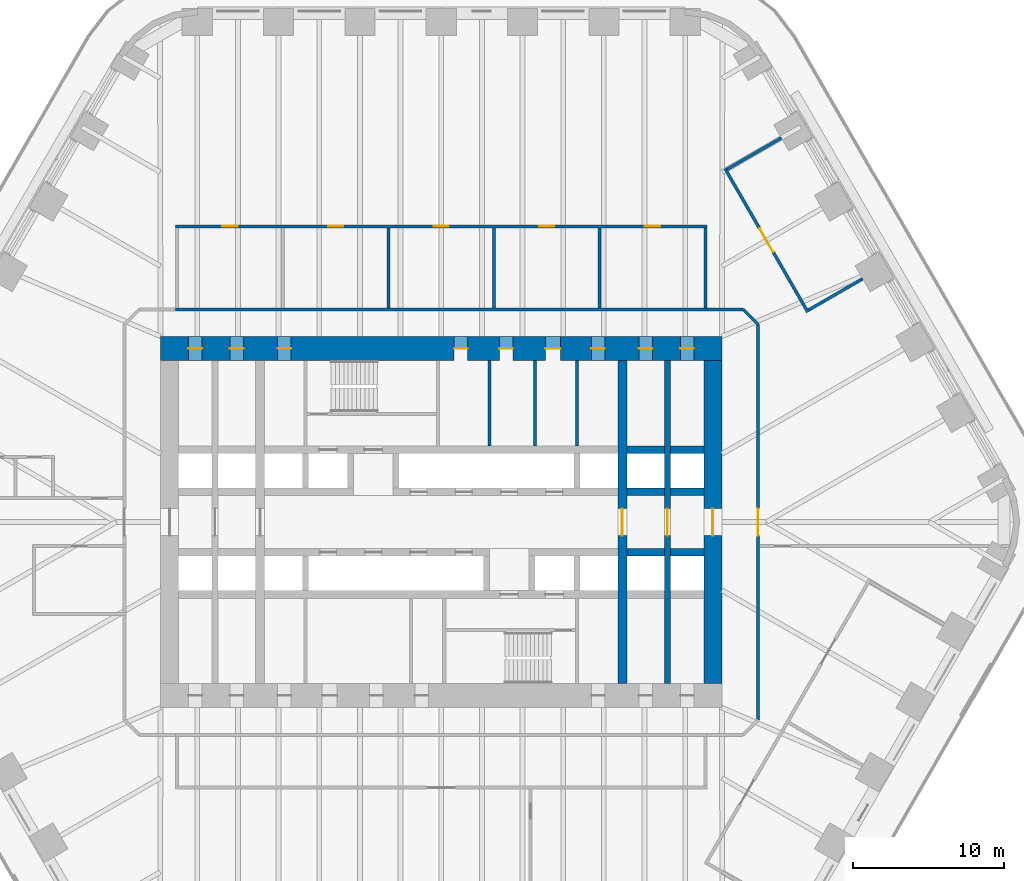
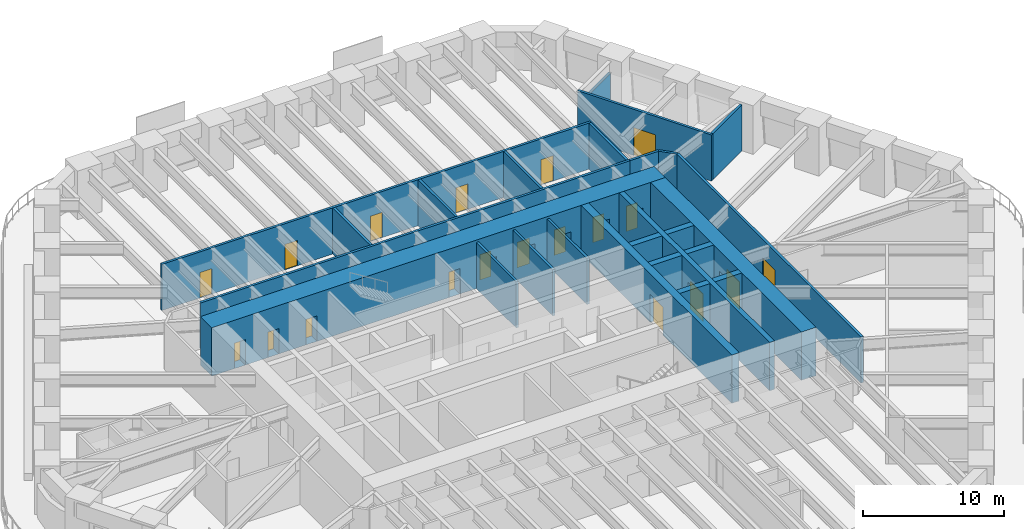
# One storey, part 19 of 23: 25 walls, 19 doors, 19 openings.
"""IFC4 building model written with IfcOpenShell, lengths in metres."""

from ifc_helpers import new_model, si_unit, direction, frame, frame_2d, origin, place, context, subcontext, project, spatial, rectangle, extrude, material, layer, layer_set, type_object, element, fill, save


model = new_model("IFC4")

# Units and contexts
model_context = context("Model", 3, precision=1e-05, world=origin(), true_north=direction((0.0, 1.0)))
body_context = subcontext(model_context, "Body", "Model", "MODEL_VIEW")
ifc_project = project(units=[si_unit("LENGTHUNIT", "METRE"), si_unit("AREAUNIT", "SQUARE_METRE"), si_unit("VOLUMEUNIT", "CUBIC_METRE"), si_unit("PLANEANGLEUNIT", "RADIAN"), si_unit("MASSUNIT", "GRAM", prefix="KILO")], contexts=[model_context])

# Site, building, storey
site_placement = place(None, origin())
site = spatial("IfcSite", under=ifc_project, at=site_placement, CompositionType="ELEMENT")
building_placement = place(site_placement, origin())
building = spatial("IfcBuilding", under=site, at=building_placement, Name="Tarfa Lantern Tower", CompositionType="ELEMENT")
storey_placement = place(building_placement, frame((0.0, 0.0, 52.89990234375)))
storey = spatial("IfcBuildingStorey", under=building, at=storey_placement, Name="L11", CompositionType="ELEMENT", Elevation=52.89990234375)

# Walls
ifc_material_1 = material(Name="Concrete blockwork", Category="masonry")
ifc_layer_1 = layer(ifc_material_1, 0.199951171875)
ifc_layer_set_1 = layer_set([ifc_layer_1], Name="IW1 BLOCKWORK PARTITION 200 EI 120")
wall_type_1 = type_object("IfcWallType", Name="IW1 BLOCKWORK PARTITION 200 EI 120", PredefinedType="PARTITIONING", material=ifc_layer_set_1)
for number, where, z_axis, x_axis, name in (
    (1, (9.0, 5.050048828125, 0.0), (0.0, 0.0, 1.0), (0.0, 1.0, 0.0), "Core partition"),
    (2, (3.199951171875, 5.050048828125, 0.0), (0.0, 0.0, 1.0), (0.0, 1.0, 0.0), "Core partition"),
    (3, (6.199951171875, 5.050048828125, 0.0), (0.0, 0.0, 1.0), (0.0, 1.0, 0.0), "Core partition"),
):
    element("IfcWall", number, at=place(storey_placement, frame(where, z_axis=z_axis, x_axis=x_axis)), inside=storey, type_object=wall_type_1, Name=name, PredefinedType="PARTITIONING", context=body_context, shape_type="SweptSolid", body=[
        extrude(rectangle(XDim=5.64990234375, YDim=0.199951171875, at=frame_2d((2.824951171875, 0.0))), origin(), (0.0, 0.0, 1.0), 4.0),
    ])
ifc_material_2 = material(Name="Gypsum board on steel studs", Category="steel")
ifc_layer_2 = layer(ifc_material_2, 0.2099609375)
ifc_layer_set_2 = layer_set([ifc_layer_2], Name="IW2 ACOUSTIC PARTITION 200")
wall_type_2 = type_object("IfcWallType", Name="IW2 ACOUSTIC PARTITION 200", PredefinedType="PARTITIONING", material=ifc_layer_set_2)
wall_1_placement = place(storey_placement, frame((-17.60009765625, 14.10009765625, 0.0), z_axis=(0.0, 0.0, 1.0), x_axis=(1.0, 0.0, 0.0)))
element("IfcWall", 4, at=wall_1_placement, inside=storey, type_object=wall_type_2, Name="Partition", PredefinedType="PARTITIONING", context=body_context, shape_type="SweptSolid", body=[
    extrude(rectangle(XDim=35.2001953125, YDim=0.199951171875, at=frame_2d((17.60009765625, 0.0))), origin(), (0.0, 0.0, 1.0), 4.0),
])

# Wall, openings, doors
wall_2_placement = place(storey_placement, frame((-17.60009765625, 19.60009765625, 0.0), z_axis=(0.0, 0.0, 1.0), x_axis=(1.0, 0.0, 0.0)))
wall_2 = element("IfcWall", 5, at=wall_2_placement, inside=storey, type_object=wall_type_2, Name="Partition", PredefinedType="PARTITIONING", context=body_context, shape_type="SweptSolid", body=[
    extrude(rectangle(XDim=35.2001953125, YDim=0.199951171875, at=frame_2d((17.60009765625, 0.0))), origin(), (0.0, 0.0, 1.0), 4.0),
])
opening_1_placement = place(wall_2_placement, frame((3.10009765625, 0.0, 0.0)))
opening_1 = element("IfcOpeningElement", 6, at=opening_1_placement, cuts=wall_2, Name="Opening D33", PredefinedType="OPENING", context=body_context, shape_type="SweptSolid", body=[
    extrude(rectangle(XDim=1.0, YDim=2.199951171875, at=frame_2d((0.5, 1.10009765625))), frame((0.0, 0.10986328125, 0.0), z_axis=(0.0, -1.0, 0.0), x_axis=(1.0, 0.0, 0.0)), (0.0, 0.0, 1.0), 0.219970703125),
])
opening_2_placement = place(wall_2_placement, frame((10.10009765625, 0.0, 0.0)))
opening_2 = element("IfcOpeningElement", 7, at=opening_2_placement, cuts=wall_2, Name="Opening D34", PredefinedType="OPENING", context=body_context, shape_type="SweptSolid", body=[
    extrude(rectangle(XDim=1.0, YDim=2.199951171875, at=frame_2d((0.5, 1.10009765625))), frame((0.0, 0.10986328125, 0.0), z_axis=(0.0, -1.0, 0.0), x_axis=(1.0, 0.0, 0.0)), (0.0, 0.0, 1.0), 0.219970703125),
])
opening_3_placement = place(wall_2_placement, frame((17.10009765625, 0.0, 0.0)))
opening_3 = element("IfcOpeningElement", 8, at=opening_3_placement, cuts=wall_2, Name="Opening D35", PredefinedType="OPENING", context=body_context, shape_type="SweptSolid", body=[
    extrude(rectangle(XDim=1.0, YDim=2.199951171875, at=frame_2d((0.5, 1.10009765625))), frame((0.0, 0.10986328125, 0.0), z_axis=(0.0, -1.0, 0.0), x_axis=(1.0, 0.0, 0.0)), (0.0, 0.0, 1.0), 0.219970703125),
])
opening_4_placement = place(wall_2_placement, frame((24.10009765625, 0.0, 0.0)))
opening_4 = element("IfcOpeningElement", 9, at=opening_4_placement, cuts=wall_2, Name="Opening D36", PredefinedType="OPENING", context=body_context, shape_type="SweptSolid", body=[
    extrude(rectangle(XDim=1.0, YDim=2.199951171875, at=frame_2d((0.5, 1.10009765625))), frame((0.0, 0.10986328125, 0.0), z_axis=(0.0, -1.0, 0.0), x_axis=(1.0, 0.0, 0.0)), (0.0, 0.0, 1.0), 0.219970703125),
])
opening_5_placement = place(wall_2_placement, frame((31.10009765625, 0.0, 0.0)))
opening_5 = element("IfcOpeningElement", 10, at=opening_5_placement, cuts=wall_2, Name="Opening D37", PredefinedType="OPENING", context=body_context, shape_type="SweptSolid", body=[
    extrude(rectangle(XDim=1.0, YDim=2.199951171875, at=frame_2d((0.5, 1.10009765625))), frame((0.0, 0.10986328125, 0.0), z_axis=(0.0, -1.0, 0.0), x_axis=(1.0, 0.0, 0.0)), (0.0, 0.0, 1.0), 0.219970703125),
])
ifc_material_3 = material(Name="Timber door", Category="wood")
door_type_1 = type_object("IfcDoorType", Name="DR1 ROOM DOOR 1000x2200", OperationType="SINGLE_SWING_LEFT", PredefinedType="DOOR", material=ifc_material_3)
door_1_placement = place(opening_1_placement, frame((1.0, 0.0, 0.0), z_axis=(0.0, 0.0, 1.0), x_axis=(-1.0, 0.0, 0.0)))
door_1 = element("IfcDoor", 11, at=door_1_placement, inside=storey, type_object=door_type_1, Name="Plan room door", OperationType="SINGLE_SWING_LEFT", OverallHeight=2.199951171875, OverallWidth=1.0, PredefinedType="DOOR", context=body_context, shape_type="SweptSolid", body=[
    extrude(rectangle(XDim=1.0, YDim=2.199951171875, at=frame_2d((0.5, 1.10009765625))), frame((0.0, 0.02490234375, 0.0), z_axis=(0.0, -1.0, 0.0), x_axis=(1.0, 0.0, 0.0)), (0.0, 0.0, 1.0), 0.050048828125),
])
fill(opening_1, door_1)
door_2_placement = place(opening_2_placement, frame((1.0, 0.0, 0.0), z_axis=(0.0, 0.0, 1.0), x_axis=(-1.0, 0.0, 0.0)))
door_2 = element("IfcDoor", 12, at=door_2_placement, inside=storey, type_object=door_type_1, Name="Model room door", OperationType="SINGLE_SWING_LEFT", OverallHeight=2.199951171875, OverallWidth=1.0, PredefinedType="DOOR", context=body_context, shape_type="SweptSolid", body=[
    extrude(rectangle(XDim=1.0, YDim=2.199951171875, at=frame_2d((0.5, 1.10009765625))), frame((0.0, 0.02490234375, 0.0), z_axis=(0.0, -1.0, 0.0), x_axis=(1.0, 0.0, 0.0)), (0.0, 0.0, 1.0), 0.050048828125),
])
fill(opening_2, door_2)
door_3_placement = place(opening_3_placement, frame((1.0, 0.0, 0.0), z_axis=(0.0, 0.0, 1.0), x_axis=(-1.0, 0.0, 0.0)))
door_3 = element("IfcDoor", 13, at=door_3_placement, inside=storey, type_object=door_type_1, Name="Specification room door", OperationType="SINGLE_SWING_LEFT", OverallHeight=2.199951171875, OverallWidth=1.0, PredefinedType="DOOR", context=body_context, shape_type="SweptSolid", body=[
    extrude(rectangle(XDim=1.0, YDim=2.199951171875, at=frame_2d((0.5, 1.10009765625))), frame((0.0, 0.02490234375, 0.0), z_axis=(0.0, -1.0, 0.0), x_axis=(1.0, 0.0, 0.0)), (0.0, 0.0, 1.0), 0.050048828125),
])
fill(opening_3, door_3)
door_4_placement = place(opening_4_placement, frame((1.0, 0.0, 0.0), z_axis=(0.0, 0.0, 1.0), x_axis=(-1.0, 0.0, 0.0)))
door_4 = element("IfcDoor", 14, at=door_4_placement, inside=storey, type_object=door_type_1, Name="Drawing review room door", OperationType="SINGLE_SWING_RIGHT", OverallHeight=2.199951171875, OverallWidth=1.0, PredefinedType="DOOR", context=body_context, shape_type="SweptSolid", body=[
    extrude(rectangle(XDim=1.0, YDim=2.199951171875, at=frame_2d((0.5, 1.10009765625))), frame((0.0, 0.02490234375, 0.0), z_axis=(0.0, -1.0, 0.0), x_axis=(1.0, 0.0, 0.0)), (0.0, 0.0, 1.0), 0.050048828125),
])
fill(opening_4, door_4)
door_5_placement = place(opening_5_placement, frame((1.0, 0.0, 0.0), z_axis=(0.0, 0.0, 1.0), x_axis=(-1.0, 0.0, 0.0)))
door_5 = element("IfcDoor", 15, at=door_5_placement, inside=storey, type_object=door_type_1, Name="Cost planning room door", OperationType="SINGLE_SWING_RIGHT", OverallHeight=2.199951171875, OverallWidth=1.0, PredefinedType="DOOR", context=body_context, shape_type="SweptSolid", body=[
    extrude(rectangle(XDim=1.0, YDim=2.199951171875, at=frame_2d((0.5, 1.10009765625))), frame((0.0, 0.02490234375, 0.0), z_axis=(0.0, -1.0, 0.0), x_axis=(1.0, 0.0, 0.0)), (0.0, 0.0, 1.0), 0.050048828125),
])
fill(opening_5, door_5)

# Walls
for number, where, z_axis, x_axis, name in (
    (16, (-3.5, 14.199951171875, 0.0), (0.0, 0.0, 1.0), (0.0, 1.0, 0.0), "Partition"),
    (17, (3.5, 14.199951171875, 0.0), (0.0, 0.0, 1.0), (0.0, 1.0, 0.0), "Partition"),
    (18, (10.5, 14.199951171875, 0.0), (0.0, 0.0, 1.0), (0.0, 1.0, 0.0), "Partition"),
    (19, (17.5, 14.199951171875, 0.0), (0.0, 0.0, 1.0), (0.0, 1.0, 0.0), "Partition"),
):
    element("IfcWall", number, at=place(storey_placement, frame(where, z_axis=z_axis, x_axis=x_axis)), inside=storey, type_object=wall_type_2, Name=name, PredefinedType="PARTITIONING", context=body_context, shape_type="SweptSolid", body=[
        extrude(rectangle(XDim=5.300048828125, YDim=0.199951171875, at=frame_2d((2.64990234375, 0.0))), origin(), (0.0, 0.0, 1.0), 4.0),
    ])

# Wall, opening, door
wall_3_placement = place(storey_placement, frame((24.298828125, 13.913330078125, 0.0), z_axis=(0.0, 0.0, 1.0), x_axis=(-0.500009305389, 0.866020031249, 0.0)))
wall_3 = element("IfcWall", 20, at=wall_3_placement, inside=storey, type_object=wall_type_2, Name="Partition", PredefinedType="PARTITIONING", context=body_context, shape_type="SweptSolid", body=[
    extrude(rectangle(XDim=10.977294921875, YDim=0.199951171875, at=frame_2d((5.48876953125, 0.0))), origin(), (0.0, 0.0, 1.0), 4.0),
])
opening_6_placement = place(wall_3_placement, frame((4.588623046875, 0.0, 0.0)))
opening_6 = element("IfcOpeningElement", 21, at=opening_6_placement, cuts=wall_3, Name="Opening D29", PredefinedType="OPENING", context=body_context, shape_type="SweptSolid", body=[
    extrude(rectangle(XDim=1.800048828125, YDim=2.39990234375, at=frame_2d((0.89990234375, 1.199951171875))), frame((0.0, 0.10986328125, 0.0), z_axis=(0.0, -1.0, 0.0), x_axis=(1.0, 0.0, 0.0)), (0.0, 0.0, 1.0), 0.219970703125),
])
door_type_2 = type_object("IfcDoorType", Name="DR2 ROOM DOOR 1800x2400", OperationType="DOUBLE_DOOR_SINGLE_SWING", PredefinedType="DOOR", material=ifc_material_3)
door_6_placement = place(opening_6_placement, frame((1.800048828125, 0.0, 0.0), z_axis=(0.0, 0.0, 1.0), x_axis=(-1.0, 0.0, 0.0)))
door_6 = element("IfcDoor", 22, at=door_6_placement, inside=storey, type_object=door_type_2, Name="Review room door", OperationType="DOUBLE_DOOR_SINGLE_SWING", OverallHeight=2.39990234375, OverallWidth=1.800048828125, PredefinedType="DOOR", context=body_context, shape_type="SweptSolid", body=[
    extrude(rectangle(XDim=1.800048828125, YDim=2.39990234375, at=frame_2d((0.89990234375, 1.199951171875))), frame((0.0, 0.02490234375, 0.0), z_axis=(0.0, -1.0, 0.0), x_axis=(1.0, 0.0, 0.0)), (0.0, 0.0, 1.0), 0.050048828125),
])
fill(opening_6, door_6)

# Walls
wall_4_placement = place(storey_placement, frame((24.335205078125, 14.050048828125, 0.0), z_axis=(0.0, 0.0, 1.0), x_axis=(0.86602981871, 0.499992353047, 0.0)))
element("IfcWall", 23, at=wall_4_placement, inside=storey, type_object=wall_type_2, Name="Partition", PredefinedType="PARTITIONING", context=body_context, shape_type="SweptSolid", body=[
    extrude(rectangle(XDim=4.14990234375, YDim=0.199951171875, at=frame_2d((2.074951171875, 0.0))), origin(), (0.0, 0.0, 1.0), 4.0),
])
wall_5_placement = place(storey_placement, frame((18.94677734375, 23.38330078125, 0.0), z_axis=(0.0, 0.0, 1.0), x_axis=(0.86602981871, 0.499992353047, 0.0)))
element("IfcWall", 24, at=wall_5_placement, inside=storey, type_object=wall_type_2, Name="Partition", PredefinedType="PARTITIONING", context=body_context, shape_type="SweptSolid", body=[
    extrude(rectangle(XDim=4.14990234375, YDim=0.199951171875, at=frame_2d((2.074951171875, 0.0))), origin(), (0.0, 0.0, 1.0), 2.991943359375),
])
wall_6_placement = place(storey_placement, frame((17.60009765625, 14.10009765625, 0.0), z_axis=(0.0, 0.0, 1.0), x_axis=(1.0, 0.0, 0.0)))
element("IfcWall", 25, at=wall_6_placement, inside=storey, type_object=wall_type_2, Name="Partition", PredefinedType="PARTITIONING", context=body_context, shape_type="SweptSolid", body=[
    extrude(rectangle(XDim=2.39990234375, YDim=0.199951171875, at=frame_2d((1.199951171875, 0.0))), origin(), (0.0, 0.0, 1.0), 4.0),
])
wall_7_placement = place(storey_placement, frame((20.0, 14.10009765625, 0.0), z_axis=(0.0, 0.0, 1.0), x_axis=(0.707106781187, -0.707106781187, 0.0)))
element("IfcWall", 26, at=wall_7_placement, inside=storey, type_object=wall_type_2, Name="Partition", PredefinedType="PARTITIONING", context=body_context, shape_type="SweptSolid", body=[
    extrude(rectangle(XDim=1.414306640625, YDim=0.199951171875, at=frame_2d((0.70703125, 0.0))), origin(), (0.0, 0.0, 1.0), 4.0),
])

# Wall, opening, door
wall_8_placement = place(storey_placement, frame((21.0, 13.10009765625, 0.0), z_axis=(0.0, 0.0, 1.0), x_axis=(0.0, -1.0, 0.0)))
wall_8 = element("IfcWall", 27, at=wall_8_placement, inside=storey, type_object=wall_type_2, Name="Partition", PredefinedType="PARTITIONING", context=body_context, shape_type="SweptSolid", body=[
    extrude(rectangle(XDim=26.2001953125, YDim=0.199951171875, at=frame_2d((13.10009765625, 0.0))), origin(), (0.0, 0.0, 1.0), 4.0),
])
opening_7_placement = place(wall_8_placement, frame((12.199951171875, 0.0, 0.0)))
opening_7 = element("IfcOpeningElement", 28, at=opening_7_placement, cuts=wall_8, Name="Opening D44", PredefinedType="OPENING", context=body_context, shape_type="SweptSolid", body=[
    extrude(rectangle(XDim=1.800048828125, YDim=2.39990234375, at=frame_2d((0.89990234375, 1.199951171875))), frame((0.0, 0.10986328125, 0.0), z_axis=(0.0, -1.0, 0.0), x_axis=(1.0, 0.0, 0.0)), (0.0, 0.0, 1.0), 0.219970703125),
])
door_7_placement = place(opening_7_placement, origin())
door_7 = element("IfcDoor", 29, at=door_7_placement, inside=storey, type_object=door_type_2, Name="Corridor door", OperationType="DOUBLE_DOOR_SINGLE_SWING", OverallHeight=2.39990234375, OverallWidth=1.800048828125, PredefinedType="DOOR", context=body_context, shape_type="SweptSolid", body=[
    extrude(rectangle(XDim=1.800048828125, YDim=2.39990234375, at=frame_2d((0.89990234375, 1.199951171875))), frame((0.0, 0.02490234375, 0.0), z_axis=(0.0, -1.0, 0.0), x_axis=(1.0, 0.0, 0.0)), (0.0, 0.0, 1.0), 0.050048828125),
])
fill(opening_7, door_7)

ifc_material_4 = material(Name="Concrete C80/95", Category="concrete")
ifc_layer_3 = layer(ifc_material_4, 1.199951171875)
ifc_layer_set_3 = layer_set([ifc_layer_3], Name="SW1 CORE WALL 1200")
wall_type_3 = type_object("IfcWallType", Name="SW1 CORE WALL 1200", PredefinedType="SHEAR", material=ifc_layer_set_3)
wall_9_placement = place(storey_placement, frame((18.0, -10.699951171875, 0.0), z_axis=(0.0, 0.0, 1.0), x_axis=(0.0, 1.0, 0.0)))
wall_9 = element("IfcWall", 30, at=wall_9_placement, inside=storey, type_object=wall_type_3, Name="Core wall E", PredefinedType="SHEAR", context=body_context, shape_type="SweptSolid", body=[
    extrude(rectangle(XDim=21.39990234375, YDim=1.199951171875, at=frame_2d((10.699951171875, 0.0))), origin(), (0.0, 0.0, 1.0), 4.2001953125),
])
opening_8_placement = place(wall_9_placement, frame((9.800048828125, 0.0, 0.0)))
opening_8 = element("IfcOpeningElement", 31, at=opening_8_placement, cuts=wall_9, Name="Opening D15", PredefinedType="OPENING", context=body_context, shape_type="SweptSolid", body=[
    extrude(rectangle(XDim=1.800048828125, YDim=2.39990234375, at=frame_2d((0.89990234375, 1.199951171875))), frame((0.0, 0.60986328125, 0.0), z_axis=(0.0, -1.0, 0.0), x_axis=(1.0, 0.0, 0.0)), (0.0, 0.0, 1.0), 1.219970703125),
])
ifc_material_5 = material(Name="Steel fire door", Category="steel")
door_type_3 = type_object("IfcDoorType", Name="DL1 LOBBY DOOR 1800x2400", OperationType="DOUBLE_DOOR_SINGLE_SWING", PredefinedType="DOOR", material=ifc_material_5)
door_8_placement = place(opening_8_placement, frame((1.800048828125, 0.0, 0.0), z_axis=(0.0, 0.0, 1.0), x_axis=(-1.0, 0.0, 0.0)))
door_8 = element("IfcDoor", 32, at=door_8_placement, inside=storey, type_object=door_type_3, Name="Lift lobby door", OperationType="DOUBLE_DOOR_SINGLE_SWING", OverallHeight=2.39990234375, OverallWidth=1.800048828125, PredefinedType="DOOR", context=body_context, shape_type="SweptSolid", body=[
    extrude(rectangle(XDim=1.800048828125, YDim=2.39990234375, at=frame_2d((0.89990234375, 1.199951171875))), frame((0.0, 0.02490234375, 0.0), z_axis=(0.0, -1.0, 0.0), x_axis=(1.0, 0.0, 0.0)), (0.0, 0.0, 1.0), 0.050048828125),
])
fill(opening_8, door_8)

# Walls
ifc_layer_4 = layer(ifc_material_4, 0.5)
ifc_layer_set_4 = layer_set([ifc_layer_4], Name="SW5 CORE WALL 500")
wall_type_4 = type_object("IfcWallType", Name="SW5 CORE WALL 500", PredefinedType="SHEAR", material=ifc_layer_set_4)
wall_10_placement = place(storey_placement, frame((12.300048828125, 2.0, 0.0), z_axis=(0.0, 0.0, 1.0), x_axis=(1.0, 0.0, 0.0)))
element("IfcWall", 33, at=wall_10_placement, inside=storey, type_object=wall_type_4, Name="Core wall lobby east N", PredefinedType="SHEAR", context=body_context, shape_type="SweptSolid", body=[
    extrude(rectangle(XDim=2.5, YDim=0.5, at=frame_2d((1.25, 0.0))), origin(), (0.0, 0.0, 1.0), 4.2001953125),
])
wall_11_placement = place(storey_placement, frame((15.199951171875, 2.0, 0.0), z_axis=(0.0, 0.0, 1.0), x_axis=(1.0, 0.0, 0.0)))
element("IfcWall", 34, at=wall_11_placement, inside=storey, type_object=wall_type_4, Name="Core wall lobby east N", PredefinedType="SHEAR", context=body_context, shape_type="SweptSolid", body=[
    extrude(rectangle(XDim=2.199951171875, YDim=0.5, at=frame_2d((1.10009765625, 0.0))), origin(), (0.0, 0.0, 1.0), 4.2001953125),
])
wall_12_placement = place(storey_placement, frame((12.300048828125, 4.800048828125, 0.0), z_axis=(0.0, 0.0, 1.0), x_axis=(1.0, 0.0, 0.0)))
element("IfcWall", 35, at=wall_12_placement, inside=storey, type_object=wall_type_4, Name="Core wall rear N", PredefinedType="SHEAR", context=body_context, shape_type="SweptSolid", body=[
    extrude(rectangle(XDim=2.5, YDim=0.5, at=frame_2d((1.25, 0.0))), origin(), (0.0, 0.0, 1.0), 4.2001953125),
])
for number, where, z_axis, x_axis, name in (
    (36, (15.199951171875, 4.800048828125, 0.0), (0.0, 0.0, 1.0), (1.0, 0.0, 0.0), "Core wall rear N"),
    (37, (17.39990234375, -2.0, 0.0), (0.0, 0.0, 1.0), (-1.0, 0.0, 0.0), "Core wall lobby west S"),
):
    element("IfcWall", number, at=place(storey_placement, frame(where, z_axis=z_axis, x_axis=x_axis)), inside=storey, type_object=wall_type_4, Name=name, PredefinedType="SHEAR", context=body_context, shape_type="SweptSolid", body=[
        extrude(rectangle(XDim=2.199951171875, YDim=0.5, at=frame_2d((1.10009765625, 0.0))), origin(), (0.0, 0.0, 1.0), 4.2001953125),
    ])
wall_13_placement = place(storey_placement, frame((14.800048828125, -2.0, 0.0), z_axis=(0.0, 0.0, 1.0), x_axis=(-1.0, 0.0, 0.0)))
element("IfcWall", 38, at=wall_13_placement, inside=storey, type_object=wall_type_4, Name="Core wall lobby west S", PredefinedType="SHEAR", context=body_context, shape_type="SweptSolid", body=[
    extrude(rectangle(XDim=2.5, YDim=0.5, at=frame_2d((1.25, 0.0))), origin(), (0.0, 0.0, 1.0), 4.2001953125),
])

# Wall, opening, door
ifc_layer_5 = layer(ifc_material_4, 0.39990234375)
ifc_layer_set_5 = layer_set([ifc_layer_5], Name="SW6 CORE WALL 400")
wall_type_5 = type_object("IfcWallType", Name="SW6 CORE WALL 400", PredefinedType="SHEAR", material=ifc_layer_set_5)
wall_14_placement = place(storey_placement, frame((15.0, -10.699951171875, 0.0), z_axis=(0.0, 0.0, 1.0), x_axis=(0.0, 1.0, 0.0)))
wall_14 = element("IfcWall", 39, at=wall_14_placement, inside=storey, type_object=wall_type_5, Name="Core wall cross 15 m east", PredefinedType="SHEAR", context=body_context, shape_type="SweptSolid", body=[
    extrude(rectangle(XDim=21.39990234375, YDim=0.39990234375, at=frame_2d((10.699951171875, 0.0))), origin(), (0.0, 0.0, 1.0), 4.2001953125),
])
opening_9_placement = place(wall_14_placement, frame((9.800048828125, 0.0, 0.0)))
opening_9 = element("IfcOpeningElement", 40, at=opening_9_placement, cuts=wall_14, Name="Opening D26", PredefinedType="OPENING", context=body_context, shape_type="SweptSolid", body=[
    extrude(rectangle(XDim=1.800048828125, YDim=2.39990234375, at=frame_2d((0.89990234375, 1.199951171875))), frame((0.0, 0.2099609375, 0.0), z_axis=(0.0, -1.0, 0.0), x_axis=(1.0, 0.0, 0.0)), (0.0, 0.0, 1.0), 0.419921875),
])
door_9_placement = place(opening_9_placement, origin())
door_9 = element("IfcDoor", 41, at=door_9_placement, inside=storey, type_object=door_type_3, Name="Lift lobby door", OperationType="DOUBLE_DOOR_SINGLE_SWING", OverallHeight=2.39990234375, OverallWidth=1.800048828125, PredefinedType="DOOR", context=body_context, shape_type="SweptSolid", body=[
    extrude(rectangle(XDim=1.800048828125, YDim=2.39990234375, at=frame_2d((0.89990234375, 1.199951171875))), frame((0.0, 0.02490234375, 0.0), z_axis=(0.0, -1.0, 0.0), x_axis=(1.0, 0.0, 0.0)), (0.0, 0.0, 1.0), 0.050048828125),
])
fill(opening_9, door_9)

# Wall, openings, doors
ifc_layer_6 = layer(ifc_material_4, 1.60009765625)
ifc_layer_set_6 = layer_set([ifc_layer_6], Name="SW7 CORE WALL 1600")
wall_type_6 = type_object("IfcWallType", Name="SW7 CORE WALL 1600", PredefinedType="SHEAR", material=ifc_layer_set_6)
wall_15_placement = place(storey_placement, frame((-18.60009765625, 11.5, 0.0), z_axis=(0.0, 0.0, 1.0), x_axis=(1.0, 0.0, 0.0)))
wall_15 = element("IfcWall", 42, at=wall_15_placement, inside=storey, type_object=wall_type_6, Name="Core wall N", PredefinedType="SHEAR", context=body_context, shape_type="SweptSolid", body=[
    extrude(rectangle(XDim=37.2001953125, YDim=1.60009765625, at=frame_2d((18.60009765625, 0.0))), origin(), (0.0, 0.0, 1.0), 4.2001953125),
])
opening_10_placement = place(wall_15_placement, frame((19.449951171875, 0.0, 0.0)))
opening_10 = element("IfcOpeningElement", 43, at=opening_10_placement, cuts=wall_15, Name="Opening D17", PredefinedType="OPENING", context=body_context, shape_type="SweptSolid", body=[
    extrude(rectangle(XDim=0.89990234375, YDim=2.199951171875, at=frame_2d((0.449951171875, 1.10009765625))), frame((0.0, 0.81005859375, 0.0), z_axis=(0.0, -1.0, 0.0), x_axis=(1.0, 0.0, 0.0)), (0.0, 0.0, 1.0), 1.6201171875),
])
opening_11_placement = place(wall_15_placement, frame((22.449951171875, 0.0, 0.0)))
opening_11 = element("IfcOpeningElement", 44, at=opening_11_placement, cuts=wall_15, Name="Opening D19", PredefinedType="OPENING", context=body_context, shape_type="SweptSolid", body=[
    extrude(rectangle(XDim=0.89990234375, YDim=2.199951171875, at=frame_2d((0.449951171875, 1.10009765625))), frame((0.0, 0.81005859375, 0.0), z_axis=(0.0, -1.0, 0.0), x_axis=(1.0, 0.0, 0.0)), (0.0, 0.0, 1.0), 1.6201171875),
])
opening_12_placement = place(wall_15_placement, frame((25.5, 0.0, 0.0)))
opening_12 = element("IfcOpeningElement", 45, at=opening_12_placement, cuts=wall_15, Name="Opening D21", PredefinedType="OPENING", context=body_context, shape_type="SweptSolid", body=[
    extrude(rectangle(XDim=1.0, YDim=2.199951171875, at=frame_2d((0.5, 1.10009765625))), frame((0.0, 0.81005859375, 0.0), z_axis=(0.0, -1.0, 0.0), x_axis=(1.0, 0.0, 0.0)), (0.0, 0.0, 1.0), 1.6201171875),
])
opening_13_placement = place(wall_15_placement, frame((1.85009765625, 0.0, 0.0)))
opening_13 = element("IfcOpeningElement", 46, at=opening_13_placement, cuts=wall_15, Name="Opening D11", PredefinedType="OPENING", context=body_context, shape_type="SweptSolid", body=[
    extrude(rectangle(XDim=0.89990234375, YDim=2.199951171875, at=frame_2d((0.449951171875, 1.10009765625))), frame((0.0, 0.81005859375, 0.0), z_axis=(0.0, -1.0, 0.0), x_axis=(1.0, 0.0, 0.0)), (0.0, 0.0, 1.0), 1.6201171875),
])
opening_14_placement = place(wall_15_placement, frame((4.60009765625, 0.0, 0.0)))
opening_14 = element("IfcOpeningElement", 47, at=opening_14_placement, cuts=wall_15, Name="Opening D07", PredefinedType="OPENING", context=body_context, shape_type="SweptSolid", body=[
    extrude(rectangle(XDim=0.89990234375, YDim=2.199951171875, at=frame_2d((0.449951171875, 1.10009765625))), frame((0.0, 0.81005859375, 0.0), z_axis=(0.0, -1.0, 0.0), x_axis=(1.0, 0.0, 0.0)), (0.0, 0.0, 1.0), 1.6201171875),
])
opening_15_placement = place(wall_15_placement, frame((7.75, 0.0, 0.0)))
opening_15 = element("IfcOpeningElement", 48, at=opening_15_placement, cuts=wall_15, Name="Opening D09", PredefinedType="OPENING", context=body_context, shape_type="SweptSolid", body=[
    extrude(rectangle(XDim=0.89990234375, YDim=2.199951171875, at=frame_2d((0.449951171875, 1.10009765625))), frame((0.0, 0.81005859375, 0.0), z_axis=(0.0, -1.0, 0.0), x_axis=(1.0, 0.0, 0.0)), (0.0, 0.0, 1.0), 1.6201171875),
])
opening_16_placement = place(wall_15_placement, frame((28.550048828125, 0.0, 0.0)))
opening_16 = element("IfcOpeningElement", 49, at=opening_16_placement, cuts=wall_15, Name="Opening D05", PredefinedType="OPENING", context=body_context, shape_type="SweptSolid", body=[
    extrude(rectangle(XDim=0.89990234375, YDim=2.199951171875, at=frame_2d((0.449951171875, 1.10009765625))), frame((0.0, 0.81005859375, 0.0), z_axis=(0.0, -1.0, 0.0), x_axis=(1.0, 0.0, 0.0)), (0.0, 0.0, 1.0), 1.6201171875),
])
opening_17_placement = place(wall_15_placement, frame((31.699951171875, 0.0, 0.0)))
opening_17 = element("IfcOpeningElement", 50, at=opening_17_placement, cuts=wall_15, Name="Opening D01", PredefinedType="OPENING", context=body_context, shape_type="SweptSolid", body=[
    extrude(rectangle(XDim=0.89990234375, YDim=2.199951171875, at=frame_2d((0.449951171875, 1.10009765625))), frame((0.0, 0.81005859375, 0.0), z_axis=(0.0, -1.0, 0.0), x_axis=(1.0, 0.0, 0.0)), (0.0, 0.0, 1.0), 1.6201171875),
])
opening_18_placement = place(wall_15_placement, frame((34.449951171875, 0.0, 0.0)))
opening_18 = element("IfcOpeningElement", 51, at=opening_18_placement, cuts=wall_15, Name="Opening D03", PredefinedType="OPENING", context=body_context, shape_type="SweptSolid", body=[
    extrude(rectangle(XDim=0.89990234375, YDim=2.199951171875, at=frame_2d((0.449951171875, 1.10009765625))), frame((0.0, 0.81005859375, 0.0), z_axis=(0.0, -1.0, 0.0), x_axis=(1.0, 0.0, 0.0)), (0.0, 0.0, 1.0), 1.6201171875),
])
door_type_4 = type_object("IfcDoorType", Name="DF3 CORE ROOM DOOR 900x2200", OperationType="SINGLE_SWING_LEFT", PredefinedType="DOOR", material=ifc_material_5)
door_10_placement = place(opening_10_placement, frame((0.89990234375, 0.0, 0.0), z_axis=(0.0, 0.0, 1.0), x_axis=(-1.0, 0.0, 0.0)))
door_10 = element("IfcDoor", 52, at=door_10_placement, inside=storey, type_object=door_type_4, Name="Core door", OperationType="SINGLE_SWING_LEFT", OverallHeight=2.199951171875, OverallWidth=0.89990234375, PredefinedType="DOOR", context=body_context, shape_type="SweptSolid", body=[
    extrude(rectangle(XDim=0.89990234375, YDim=2.199951171875, at=frame_2d((0.449951171875, 1.10009765625))), frame((0.0, 0.02490234375, 0.0), z_axis=(0.0, -1.0, 0.0), x_axis=(1.0, 0.0, 0.0)), (0.0, 0.0, 1.0), 0.050048828125),
])
fill(opening_10, door_10)
door_11_placement = place(opening_11_placement, frame((0.89990234375, 0.0, 0.0), z_axis=(0.0, 0.0, 1.0), x_axis=(-1.0, 0.0, 0.0)))
door_11 = element("IfcDoor", 53, at=door_11_placement, inside=storey, type_object=door_type_4, Name="Core door", OperationType="SINGLE_SWING_LEFT", OverallHeight=2.199951171875, OverallWidth=0.89990234375, PredefinedType="DOOR", context=body_context, shape_type="SweptSolid", body=[
    extrude(rectangle(XDim=0.89990234375, YDim=2.199951171875, at=frame_2d((0.449951171875, 1.10009765625))), frame((0.0, 0.02490234375, 0.0), z_axis=(0.0, -1.0, 0.0), x_axis=(1.0, 0.0, 0.0)), (0.0, 0.0, 1.0), 0.050048828125),
])
fill(opening_11, door_11)
door_type_5 = type_object("IfcDoorType", Name="DF4 CORE ROOM DOOR 1000x2200", OperationType="SINGLE_SWING_LEFT", PredefinedType="DOOR", material=ifc_material_5)
door_12_placement = place(opening_12_placement, frame((1.0, 0.0, 0.0), z_axis=(0.0, 0.0, 1.0), x_axis=(-1.0, 0.0, 0.0)))
door_12 = element("IfcDoor", 54, at=door_12_placement, inside=storey, type_object=door_type_5, Name="Core door", OperationType="SINGLE_SWING_LEFT", OverallHeight=2.199951171875, OverallWidth=1.0, PredefinedType="DOOR", context=body_context, shape_type="SweptSolid", body=[
    extrude(rectangle(XDim=1.0, YDim=2.199951171875, at=frame_2d((0.5, 1.10009765625))), frame((0.0, 0.02490234375, 0.0), z_axis=(0.0, -1.0, 0.0), x_axis=(1.0, 0.0, 0.0)), (0.0, 0.0, 1.0), 0.050048828125),
])
fill(opening_12, door_12)
door_type_6 = type_object("IfcDoorType", Name="DF5 RISER DOOR 900x2200", OperationType="SINGLE_SWING_LEFT", PredefinedType="DOOR", material=ifc_material_5)
door_13_placement = place(opening_13_placement, frame((0.89990234375, 0.0, 0.0), z_axis=(0.0, 0.0, 1.0), x_axis=(-1.0, 0.0, 0.0)))
door_13 = element("IfcDoor", 55, at=door_13_placement, inside=storey, type_object=door_type_6, Name="Riser door", OperationType="SINGLE_SWING_LEFT", OverallHeight=2.199951171875, OverallWidth=0.89990234375, PredefinedType="DOOR", context=body_context, shape_type="SweptSolid", body=[
    extrude(rectangle(XDim=0.89990234375, YDim=2.199951171875, at=frame_2d((0.449951171875, 1.10009765625))), frame((0.0, 0.02490234375, 0.0), z_axis=(0.0, -1.0, 0.0), x_axis=(1.0, 0.0, 0.0)), (0.0, 0.0, 1.0), 0.050048828125),
])
fill(opening_13, door_13)
door_14_placement = place(opening_14_placement, frame((0.89990234375, 0.0, 0.0), z_axis=(0.0, 0.0, 1.0), x_axis=(-1.0, 0.0, 0.0)))
door_14 = element("IfcDoor", 56, at=door_14_placement, inside=storey, type_object=door_type_6, Name="Riser door", OperationType="SINGLE_SWING_LEFT", OverallHeight=2.199951171875, OverallWidth=0.89990234375, PredefinedType="DOOR", context=body_context, shape_type="SweptSolid", body=[
    extrude(rectangle(XDim=0.89990234375, YDim=2.199951171875, at=frame_2d((0.449951171875, 1.10009765625))), frame((0.0, 0.02490234375, 0.0), z_axis=(0.0, -1.0, 0.0), x_axis=(1.0, 0.0, 0.0)), (0.0, 0.0, 1.0), 0.050048828125),
])
fill(opening_14, door_14)
door_15_placement = place(opening_15_placement, frame((0.89990234375, 0.0, 0.0), z_axis=(0.0, 0.0, 1.0), x_axis=(-1.0, 0.0, 0.0)))
door_15 = element("IfcDoor", 57, at=door_15_placement, inside=storey, type_object=door_type_6, Name="Riser door", OperationType="SINGLE_SWING_LEFT", OverallHeight=2.199951171875, OverallWidth=0.89990234375, PredefinedType="DOOR", context=body_context, shape_type="SweptSolid", body=[
    extrude(rectangle(XDim=0.89990234375, YDim=2.199951171875, at=frame_2d((0.449951171875, 1.10009765625))), frame((0.0, 0.02490234375, 0.0), z_axis=(0.0, -1.0, 0.0), x_axis=(1.0, 0.0, 0.0)), (0.0, 0.0, 1.0), 0.050048828125),
])
fill(opening_15, door_15)
door_16_placement = place(opening_16_placement, frame((0.89990234375, 0.0, 0.0), z_axis=(0.0, 0.0, 1.0), x_axis=(-1.0, 0.0, 0.0)))
door_16 = element("IfcDoor", 58, at=door_16_placement, inside=storey, type_object=door_type_6, Name="Riser door", OperationType="SINGLE_SWING_RIGHT", OverallHeight=2.199951171875, OverallWidth=0.89990234375, PredefinedType="DOOR", context=body_context, shape_type="SweptSolid", body=[
    extrude(rectangle(XDim=0.89990234375, YDim=2.199951171875, at=frame_2d((0.449951171875, 1.10009765625))), frame((0.0, 0.02490234375, 0.0), z_axis=(0.0, -1.0, 0.0), x_axis=(1.0, 0.0, 0.0)), (0.0, 0.0, 1.0), 0.050048828125),
])
fill(opening_16, door_16)
door_17_placement = place(opening_17_placement, frame((0.89990234375, 0.0, 0.0), z_axis=(0.0, 0.0, 1.0), x_axis=(-1.0, 0.0, 0.0)))
door_17 = element("IfcDoor", 59, at=door_17_placement, inside=storey, type_object=door_type_6, Name="Riser door", OperationType="SINGLE_SWING_RIGHT", OverallHeight=2.199951171875, OverallWidth=0.89990234375, PredefinedType="DOOR", context=body_context, shape_type="SweptSolid", body=[
    extrude(rectangle(XDim=0.89990234375, YDim=2.199951171875, at=frame_2d((0.449951171875, 1.10009765625))), frame((0.0, 0.02490234375, 0.0), z_axis=(0.0, -1.0, 0.0), x_axis=(1.0, 0.0, 0.0)), (0.0, 0.0, 1.0), 0.050048828125),
])
fill(opening_17, door_17)
door_18_placement = place(opening_18_placement, frame((0.89990234375, 0.0, 0.0), z_axis=(0.0, 0.0, 1.0), x_axis=(-1.0, 0.0, 0.0)))
door_18 = element("IfcDoor", 60, at=door_18_placement, inside=storey, type_object=door_type_6, Name="Riser door", OperationType="SINGLE_SWING_RIGHT", OverallHeight=2.199951171875, OverallWidth=0.89990234375, PredefinedType="DOOR", context=body_context, shape_type="SweptSolid", body=[
    extrude(rectangle(XDim=0.89990234375, YDim=2.199951171875, at=frame_2d((0.449951171875, 1.10009765625))), frame((0.0, 0.02490234375, 0.0), z_axis=(0.0, -1.0, 0.0), x_axis=(1.0, 0.0, 0.0)), (0.0, 0.0, 1.0), 0.050048828125),
])
fill(opening_18, door_18)

# Wall, opening, door
ifc_layer_7 = layer(ifc_material_4, 0.60009765625)
ifc_layer_set_7 = layer_set([ifc_layer_7], Name="SW9 CORE WALL 600")
wall_type_7 = type_object("IfcWallType", Name="SW9 CORE WALL 600", PredefinedType="SHEAR", material=ifc_layer_set_7)
wall_16_placement = place(storey_placement, frame((12.0, -10.699951171875, 0.0), z_axis=(0.0, 0.0, 1.0), x_axis=(0.0, 1.0, 0.0)))
wall_16 = element("IfcWall", 61, at=wall_16_placement, inside=storey, type_object=wall_type_7, Name="Core wall cross 12 m east", PredefinedType="SHEAR", context=body_context, shape_type="SweptSolid", body=[
    extrude(rectangle(XDim=21.39990234375, YDim=0.60009765625, at=frame_2d((10.699951171875, 0.0))), origin(), (0.0, 0.0, 1.0), 4.2001953125),
])
opening_19_placement = place(wall_16_placement, frame((9.800048828125, 0.0, 0.0)))
opening_19 = element("IfcOpeningElement", 62, at=opening_19_placement, cuts=wall_16, Name="Opening D25", PredefinedType="OPENING", context=body_context, shape_type="SweptSolid", body=[
    extrude(rectangle(XDim=1.800048828125, YDim=2.39990234375, at=frame_2d((0.89990234375, 1.199951171875))), frame((0.0, 0.31005859375, 0.0), z_axis=(0.0, -1.0, 0.0), x_axis=(1.0, 0.0, 0.0)), (0.0, 0.0, 1.0), 0.6201171875),
])
door_19_placement = place(opening_19_placement, origin())
door_19 = element("IfcDoor", 63, at=door_19_placement, inside=storey, type_object=door_type_3, Name="Lift lobby door", OperationType="DOUBLE_DOOR_SINGLE_SWING", OverallHeight=2.39990234375, OverallWidth=1.800048828125, PredefinedType="DOOR", context=body_context, shape_type="SweptSolid", body=[
    extrude(rectangle(XDim=1.800048828125, YDim=2.39990234375, at=frame_2d((0.89990234375, 1.199951171875))), frame((0.0, 0.02490234375, 0.0), z_axis=(0.0, -1.0, 0.0), x_axis=(1.0, 0.0, 0.0)), (0.0, 0.0, 1.0), 0.050048828125),
])
fill(opening_19, door_19)

save(model, "model.ifc")
